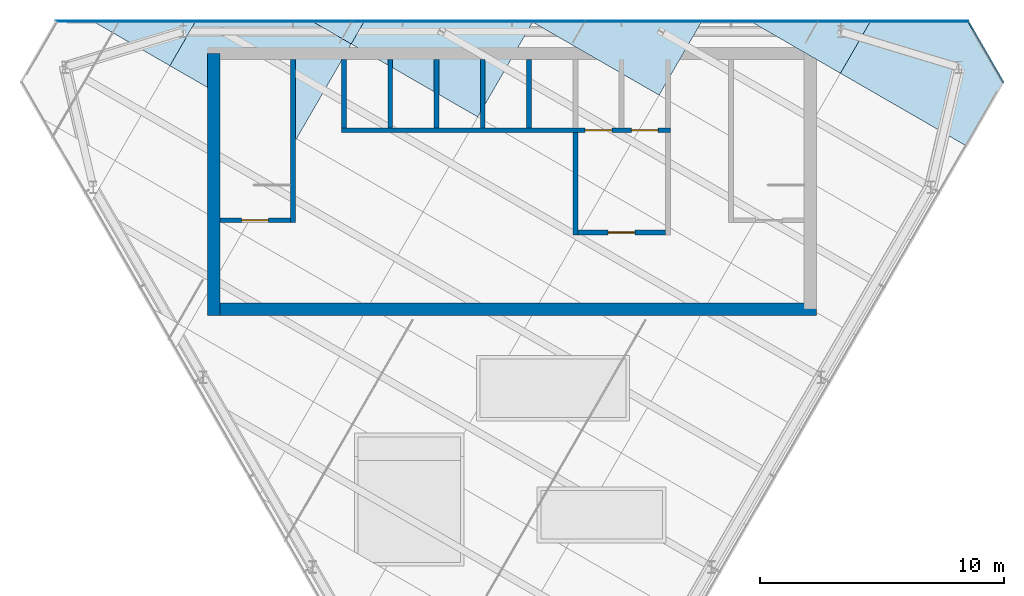
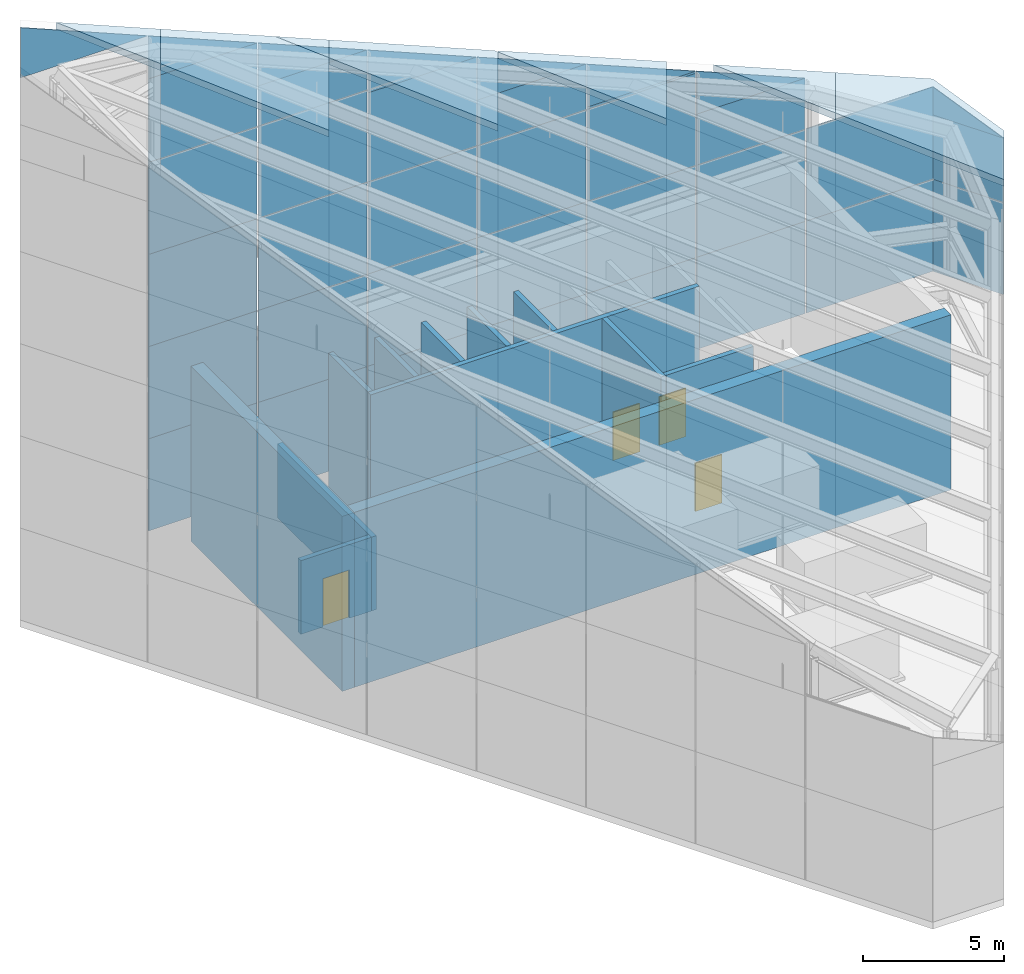
# One storey, part 13 of 16: 44 plates, 12 walls, 4 doors, 4 openings, 2 elements without a shape of their own.
"""IFC4 building model written with IfcOpenShell, lengths in metres."""

from ifc_helpers import new_model, si_unit, direction, frame, frame_2d, origin, place, context, subcontext, project, spatial, polyline, rectangle, outline, extrude, material, layer, layer_set, type_object, element, fill, aggregate, save


model = new_model("IFC4")

# Units and contexts
model_context = context("Model", 3, precision=1e-05, world=origin(), true_north=direction((0.0, 1.0)))
body_context = subcontext(model_context, "Body", "Model", "MODEL_VIEW")
ifc_project = project(units=[si_unit("LENGTHUNIT", "METRE"), si_unit("AREAUNIT", "SQUARE_METRE"), si_unit("VOLUMEUNIT", "CUBIC_METRE"), si_unit("PLANEANGLEUNIT", "RADIAN"), si_unit("MASSUNIT", "GRAM", prefix="KILO")], contexts=[model_context])

# Site, building, storey
site_placement = place(None, origin())
site = spatial("IfcSite", under=ifc_project, at=site_placement, CompositionType="ELEMENT")
building_placement = place(site_placement, origin())
building = spatial("IfcBuilding", under=site, at=building_placement, Name="Altiplano Prism Tower", CompositionType="ELEMENT")
storey_placement = place(building_placement, frame((0.0, 0.0, 358.0)))
storey = spatial("IfcBuildingStorey", under=building, at=storey_placement, Name="Crown", CompositionType="ELEMENT", Elevation=358.0)

# Curtain wall, plates
ifc_material_1 = material(Name="Aluminium and glass", Category="aluminium")
ifc_layer_1 = layer(ifc_material_1, 0.25)
ifc_layer_set_1 = layer_set([ifc_layer_1], Name="Aluminium and glass")
curtain_wall_type = type_object("IfcCurtainWallType", Name="CW5 crown glazing", PredefinedType="NOTDEFINED", material=ifc_layer_set_1)
curtain_wall_1_placement = place(storey_placement, origin())
curtain_wall_1 = element("IfcCurtainWall", 1, at=curtain_wall_1_placement, inside=storey, type_object=curtain_wall_type, Name="CW5 crown glazing face 1", PredefinedType="NOTDEFINED")
ifc_material_2 = material(Name="Clear glass", Category="glass")
ifc_layer_2 = layer(ifc_material_2, 0.0400390625)
ifc_layer_set_2 = layer_set([ifc_layer_2], Name="Clear glass")
plate_type_1 = type_object("IfcPlateType", Name="CW5 insulated glass unit 40", PredefinedType="CURTAIN_PANEL", material=ifc_layer_set_2)
plate_1_placement = place(storey_placement, frame((103.73583984375, 105.0, 4.0), z_axis=(0.0, 1.0, 0.0), x_axis=(-1.0, 0.0, 0.0)))
plate_1 = element("IfcPlate", 2, at=plate_1_placement, type_object=plate_type_1, Name="CW5 panel", PredefinedType="CURTAIN_PANEL", context=body_context, shape_type="SweptSolid", body=[
    extrude(outline(polyline([(0.0, 0.0), (5.2109375, 0.0), (5.2109375, 4.0), (0.0, 4.0), (0.0, 0.0)])), origin(), (0.0, 0.0, -1.0), 0.0400390625),
])
plate_2_placement = place(storey_placement, frame((98.47509765625, 105.0, 4.0), z_axis=(0.0, 1.0, 0.0), x_axis=(-1.0, 0.0, 0.0)))
plate_2 = element("IfcPlate", 3, at=plate_2_placement, type_object=plate_type_1, Name="CW5 panel", PredefinedType="CURTAIN_PANEL", context=body_context, shape_type="SweptSolid", body=[
    extrude(outline(polyline([(0.0, 0.0), (4.4501953125, 0.0), (4.4501953125, 4.0), (0.0, 4.0), (0.0, 0.0)])), origin(), (0.0, 0.0, -1.0), 0.0400390625),
])
plate_3_placement = place(storey_placement, frame((98.47509765625, 105.0, 8.0), z_axis=(0.0, 1.0, 0.0), x_axis=(-1.0, 0.0, 0.0)))
plate_3 = element("IfcPlate", 4, at=plate_3_placement, type_object=plate_type_1, Name="CW5 panel", PredefinedType="CURTAIN_PANEL", context=body_context, shape_type="SweptSolid", body=[
    extrude(outline(polyline([(0.0, 0.0), (4.4501953125, 0.0), (4.4501953125, 2.215087890625), (0.0, 2.215087890625), (0.0, 0.0)])), origin(), (0.0, 0.0, -1.0), 0.0400390625),
])
plate_4_placement = place(storey_placement, frame((98.47509765625, 105.0, 10.215087890625), z_axis=(0.0, 1.0, 0.0), x_axis=(-1.0, 0.0, 0.0)))
plate_4 = element("IfcPlate", 5, at=plate_4_placement, type_object=plate_type_1, Name="CW5 panel", PredefinedType="CURTAIN_PANEL", context=body_context, shape_type="SweptSolid", body=[
    extrude(outline(polyline([(0.0, 0.0), (4.4501953125, 0.0), (4.4501953125, 1.861328125), (0.0, 0.0)])), origin(), (0.0, 0.0, -1.0), 0.0400390625),
])
plate_5_placement = place(storey_placement, frame((93.97509765625, 105.0, 4.0), z_axis=(0.0, 1.0, 0.0), x_axis=(-1.0, 0.0, 0.0)))
plate_5 = element("IfcPlate", 6, at=plate_5_placement, type_object=plate_type_1, Name="CW5 panel", PredefinedType="CURTAIN_PANEL", context=body_context, shape_type="SweptSolid", body=[
    extrude(outline(polyline([(0.0, 0.0), (4.4501953125, 0.0), (4.4501953125, 4.0), (0.0, 4.0), (0.0, 0.0)])), origin(), (0.0, 0.0, -1.0), 0.0400390625),
])
plate_6_placement = place(storey_placement, frame((93.97509765625, 105.0, 8.0), z_axis=(0.0, 1.0, 0.0), x_axis=(-1.0, 0.0, 0.0)))
plate_6 = element("IfcPlate", 7, at=plate_6_placement, type_object=plate_type_1, Name="CW5 panel", PredefinedType="CURTAIN_PANEL", context=body_context, shape_type="SweptSolid", body=[
    extrude(outline(polyline([(0.0, 0.0), (4.4501953125, 0.0), (4.4501953125, 4.0), (0.0, 4.0), (0.0, 0.0)])), origin(), (0.0, 0.0, -1.0), 0.0400390625),
])
plate_7_placement = place(storey_placement, frame((93.97509765625, 105.0, 12.0), z_axis=(0.0, 1.0, 0.0), x_axis=(-1.0, 0.0, 0.0)))
plate_7 = element("IfcPlate", 8, at=plate_7_placement, type_object=plate_type_1, Name="CW5 panel", PredefinedType="CURTAIN_PANEL", context=body_context, shape_type="SweptSolid", body=[
    extrude(outline(polyline([(0.0, 0.0), (4.4501953125, 0.0), (4.4501953125, 0.097412109375), (0.0, 0.097412109375), (0.0, 0.0)])), origin(), (0.0, 0.0, -1.0), 0.0400390625),
])
plate_8_placement = place(storey_placement, frame((93.97509765625, 105.0, 12.097412109375), z_axis=(0.0, 1.0, 0.0), x_axis=(-1.0, 0.0, 0.0)))
plate_8 = element("IfcPlate", 9, at=plate_8_placement, type_object=plate_type_1, Name="CW5 panel", PredefinedType="CURTAIN_PANEL", context=body_context, shape_type="SweptSolid", body=[
    extrude(outline(polyline([(0.0, 0.0), (4.4501953125, 0.0), (4.4501953125, 1.861083984375), (0.0, 0.0)])), origin(), (0.0, 0.0, -1.0), 0.0400390625),
])
plate_9_placement = place(storey_placement, frame((89.47509765625, 105.0, 4.0), z_axis=(0.0, 1.0, 0.0), x_axis=(-1.0, 0.0, 0.0)))
plate_9 = element("IfcPlate", 10, at=plate_9_placement, type_object=plate_type_1, Name="CW5 panel", PredefinedType="CURTAIN_PANEL", context=body_context, shape_type="SweptSolid", body=[
    extrude(outline(polyline([(0.0, 0.0), (4.4501953125, 0.0), (4.4501953125, 4.0), (0.0, 4.0), (0.0, 0.0)])), origin(), (0.0, 0.0, -1.0), 0.0400390625),
])
plate_10_placement = place(storey_placement, frame((89.47509765625, 105.0, 8.0), z_axis=(0.0, 1.0, 0.0), x_axis=(-1.0, 0.0, 0.0)))
plate_10 = element("IfcPlate", 11, at=plate_10_placement, type_object=plate_type_1, Name="CW5 panel", PredefinedType="CURTAIN_PANEL", context=body_context, shape_type="SweptSolid", body=[
    extrude(outline(polyline([(0.0, 0.0), (4.4501953125, 0.0), (4.4501953125, 4.0), (0.0, 4.0), (0.0, 0.0)])), origin(), (0.0, 0.0, -1.0), 0.0400390625),
])
plate_11_placement = place(storey_placement, frame((89.47509765625, 105.0, 12.0), z_axis=(0.0, 1.0, 0.0), x_axis=(-1.0, 0.0, 0.0)))
plate_11 = element("IfcPlate", 12, at=plate_11_placement, type_object=plate_type_1, Name="CW5 panel", PredefinedType="CURTAIN_PANEL", context=body_context, shape_type="SweptSolid", body=[
    extrude(outline(polyline([(0.0, 0.0), (4.4501953125, 0.0), (4.4501953125, 1.9794921875), (0.0, 1.9794921875), (0.0, 0.0)])), origin(), (0.0, 0.0, -1.0), 0.0400390625),
])
plate_12_placement = place(storey_placement, frame((89.47509765625, 105.0, 13.9794921875), z_axis=(0.0, 1.0, 0.0), x_axis=(-1.0, 0.0, 0.0)))
plate_12 = element("IfcPlate", 13, at=plate_12_placement, type_object=plate_type_1, Name="CW5 panel", PredefinedType="CURTAIN_PANEL", context=body_context, shape_type="SweptSolid", body=[
    extrude(outline(polyline([(0.0, 0.0), (4.4501953125, 0.0), (4.4501953125, 1.861328125), (0.0, 0.0)])), origin(), (0.0, 0.0, -1.0), 0.0400390625),
])
plate_13_placement = place(storey_placement, frame((84.97509765625, 105.0, 4.0), z_axis=(0.0, 1.0, 0.0), x_axis=(-1.0, 0.0, 0.0)))
plate_13 = element("IfcPlate", 14, at=plate_13_placement, type_object=plate_type_1, Name="CW5 panel", PredefinedType="CURTAIN_PANEL", context=body_context, shape_type="SweptSolid", body=[
    extrude(outline(polyline([(0.0, 0.0), (4.4501953125, 0.0), (4.4501953125, 4.0), (0.0, 4.0), (0.0, 0.0)])), origin(), (0.0, 0.0, -1.0), 0.0400390625),
])
plate_14_placement = place(storey_placement, frame((84.97509765625, 105.0, 8.0), z_axis=(0.0, 1.0, 0.0), x_axis=(-1.0, 0.0, 0.0)))
plate_14 = element("IfcPlate", 15, at=plate_14_placement, type_object=plate_type_1, Name="CW5 panel", PredefinedType="CURTAIN_PANEL", context=body_context, shape_type="SweptSolid", body=[
    extrude(outline(polyline([(0.0, 0.0), (4.4501953125, 0.0), (4.4501953125, 4.0), (0.0, 4.0), (0.0, 0.0)])), origin(), (0.0, 0.0, -1.0), 0.0400390625),
])
plate_15_placement = place(storey_placement, frame((84.97509765625, 105.0, 12.0), z_axis=(0.0, 1.0, 0.0), x_axis=(-1.0, 0.0, 0.0)))
plate_15 = element("IfcPlate", 16, at=plate_15_placement, type_object=plate_type_1, Name="CW5 panel", PredefinedType="CURTAIN_PANEL", context=body_context, shape_type="SweptSolid", body=[
    extrude(outline(polyline([(0.0, 0.0), (4.4501953125, 0.0), (4.4501953125, 3.86181640625), (0.0, 3.86181640625), (0.0, 0.0)])), origin(), (0.0, 0.0, -1.0), 0.0400390625),
])
plate_16_placement = place(storey_placement, frame((84.97509765625, 105.0, 15.86181640625), z_axis=(0.0, 1.0, 0.0), x_axis=(-1.0, 0.0, 0.0)))
plate_16 = element("IfcPlate", 17, at=plate_16_placement, type_object=plate_type_1, Name="CW5 panel", PredefinedType="CURTAIN_PANEL", context=body_context, shape_type="SweptSolid", body=[
    extrude(outline(polyline([(0.0, 0.0), (4.4501953125, 0.0), (4.4501953125, 1.861328125), (0.0, 0.0)])), origin(), (0.0, 0.0, -1.0), 0.0400390625),
])
plate_17_placement = place(storey_placement, frame((80.47509765625, 105.0, 4.0), z_axis=(0.0, 1.0, 0.0), x_axis=(-1.0, 0.0, 0.0)))
plate_17 = element("IfcPlate", 18, at=plate_17_placement, type_object=plate_type_1, Name="CW5 panel", PredefinedType="CURTAIN_PANEL", context=body_context, shape_type="SweptSolid", body=[
    extrude(outline(polyline([(0.0, 0.0), (4.4501953125, 0.0), (4.4501953125, 4.0), (0.0, 4.0), (0.0, 0.0)])), origin(), (0.0, 0.0, -1.0), 0.0400390625),
])
plate_18_placement = place(storey_placement, frame((80.47509765625, 105.0, 8.0), z_axis=(0.0, 1.0, 0.0), x_axis=(-1.0, 0.0, 0.0)))
plate_18 = element("IfcPlate", 19, at=plate_18_placement, type_object=plate_type_1, Name="CW5 panel", PredefinedType="CURTAIN_PANEL", context=body_context, shape_type="SweptSolid", body=[
    extrude(outline(polyline([(0.0, 0.0), (4.4501953125, 0.0), (4.4501953125, 4.0), (0.0, 4.0), (0.0, 0.0)])), origin(), (0.0, 0.0, -1.0), 0.0400390625),
])
plate_19_placement = place(storey_placement, frame((80.47509765625, 105.0, 12.0), z_axis=(0.0, 1.0, 0.0), x_axis=(-1.0, 0.0, 0.0)))
plate_19 = element("IfcPlate", 20, at=plate_19_placement, type_object=plate_type_1, Name="CW5 panel", PredefinedType="CURTAIN_PANEL", context=body_context, shape_type="SweptSolid", body=[
    extrude(outline(polyline([(0.0, 0.0), (4.4501953125, 0.0), (4.4501953125, 4.0), (0.0, 4.0), (0.0, 0.0)])), origin(), (0.0, 0.0, -1.0), 0.0400390625),
])
plate_20_placement = place(storey_placement, frame((80.47509765625, 105.0, 16.0), z_axis=(0.0, 1.0, 0.0), x_axis=(-1.0, 0.0, 0.0)))
plate_20 = element("IfcPlate", 21, at=plate_20_placement, type_object=plate_type_1, Name="CW5 panel", PredefinedType="CURTAIN_PANEL", context=body_context, shape_type="SweptSolid", body=[
    extrude(outline(polyline([(0.0, 0.0), (4.4501953125, 0.0), (4.4501953125, 1.743896484375), (0.0, 1.743896484375), (0.0, 0.0)])), origin(), (0.0, 0.0, -1.0), 0.0400390625),
])
plate_21_placement = place(storey_placement, frame((80.47509765625, 105.0, 17.743896484375), z_axis=(0.0, 1.0, 0.0), x_axis=(-1.0, 0.0, 0.0)))
plate_21 = element("IfcPlate", 22, at=plate_21_placement, type_object=plate_type_1, Name="CW5 panel", PredefinedType="CURTAIN_PANEL", context=body_context, shape_type="SweptSolid", body=[
    extrude(outline(polyline([(0.0, 0.0), (4.4501953125, 0.0), (4.4501953125, 1.861328125), (0.0, 0.0)])), origin(), (0.0, 0.0, -1.0), 0.0400390625),
])
plate_22_placement = place(storey_placement, frame((75.97509765625, 105.0, 4.0), z_axis=(0.0, 1.0, 0.0), x_axis=(-1.0, 0.0, 0.0)))
plate_22 = element("IfcPlate", 23, at=plate_22_placement, type_object=plate_type_1, Name="CW5 panel", PredefinedType="CURTAIN_PANEL", context=body_context, shape_type="SweptSolid", body=[
    extrude(outline(polyline([(0.0, 0.0), (4.4501953125, 0.0), (4.4501953125, 4.0), (0.0, 4.0), (0.0, 0.0)])), origin(), (0.0, 0.0, -1.0), 0.0400390625),
])
plate_23_placement = place(storey_placement, frame((75.97509765625, 105.0, 8.0), z_axis=(0.0, 1.0, 0.0), x_axis=(-1.0, 0.0, 0.0)))
plate_23 = element("IfcPlate", 24, at=plate_23_placement, type_object=plate_type_1, Name="CW5 panel", PredefinedType="CURTAIN_PANEL", context=body_context, shape_type="SweptSolid", body=[
    extrude(outline(polyline([(0.0, 0.0), (4.4501953125, 0.0), (4.4501953125, 4.0), (0.0, 4.0), (0.0, 0.0)])), origin(), (0.0, 0.0, -1.0), 0.0400390625),
])
plate_24_placement = place(storey_placement, frame((75.97509765625, 105.0, 12.0), z_axis=(0.0, 1.0, 0.0), x_axis=(-1.0, 0.0, 0.0)))
plate_24 = element("IfcPlate", 25, at=plate_24_placement, type_object=plate_type_1, Name="CW5 panel", PredefinedType="CURTAIN_PANEL", context=body_context, shape_type="SweptSolid", body=[
    extrude(outline(polyline([(0.0, 0.0), (4.4501953125, 0.0), (4.4501953125, 4.0), (0.0, 4.0), (0.0, 0.0)])), origin(), (0.0, 0.0, -1.0), 0.0400390625),
])
plate_25_placement = place(storey_placement, frame((75.97509765625, 105.0, 16.0), z_axis=(0.0, 1.0, 0.0), x_axis=(-1.0, 0.0, 0.0)))
plate_25 = element("IfcPlate", 26, at=plate_25_placement, type_object=plate_type_1, Name="CW5 panel", PredefinedType="CURTAIN_PANEL", context=body_context, shape_type="SweptSolid", body=[
    extrude(outline(polyline([(0.0, 0.0), (4.4501953125, 0.0), (4.4501953125, 3.626220703125), (0.0, 3.626220703125), (0.0, 0.0)])), origin(), (0.0, 0.0, -1.0), 0.0400390625),
])
plate_26_placement = place(storey_placement, frame((75.97509765625, 105.0, 19.626220703125), z_axis=(0.0, 1.0, 0.0), x_axis=(-1.0, 0.0, 0.0)))
plate_26 = element("IfcPlate", 27, at=plate_26_placement, type_object=plate_type_1, Name="CW5 panel", PredefinedType="CURTAIN_PANEL", context=body_context, shape_type="SweptSolid", body=[
    extrude(outline(polyline([(0.0, 0.0), (4.4501953125, 0.0), (4.4501953125, 1.861328125), (0.0, 0.0)])), origin(), (0.0, 0.0, -1.0), 0.0400390625),
])
plate_27_placement = place(storey_placement, frame((71.47509765625, 105.0, 21.50830078125), z_axis=(0.0, 1.0, 0.0), x_axis=(-1.0, 0.0, 0.0)))
plate_27 = element("IfcPlate", 28, at=plate_27_placement, type_object=plate_type_1, Name="CW5 panel", PredefinedType="CURTAIN_PANEL", context=body_context, shape_type="SweptSolid", body=[
    extrude(outline(polyline([(0.0, 0.0), (5.2109375, 0.0), (5.2109375, 2.1796875), (0.0, 0.0)])), origin(), (0.0, 0.0, -1.0), 0.0400390625),
])

curtain_wall_2_placement = place(storey_placement, origin())
curtain_wall_2 = element("IfcCurtainWall", 29, at=curtain_wall_2_placement, inside=storey, type_object=curtain_wall_type, Name="CW5 crown glazing chamfer 3", PredefinedType="NOTDEFINED")
plate_28_placement = place(storey_placement, frame((105.19970703125, 102.472900390625, 4.0), z_axis=(0.866052996912, 0.499952204256, 0.0), x_axis=(-0.499952204256, 0.866052996912, 0.0)))
plate_28 = element("IfcPlate", 30, at=plate_28_placement, type_object=plate_type_1, Name="CW5 panel", PredefinedType="CURTAIN_PANEL", context=body_context, shape_type="SweptSolid", body=[
    extrude(outline(polyline([(0.0, 0.0), (2.912841796875, 0.0), (2.912841796875, 2.7919921875), (0.0, 2.7919921875), (0.0, 0.0)])), origin(), (0.0, 0.0, -1.0), 0.0400390625),
])
plate_29_placement = place(storey_placement, frame((105.19970703125, 102.472900390625, 6.7919921875), z_axis=(0.866052996912, 0.499952204256, 0.0), x_axis=(-0.499952204256, 0.866052996912, 0.0)))
plate_29 = element("IfcPlate", 31, at=plate_29_placement, type_object=plate_type_1, Name="CW5 panel", PredefinedType="CURTAIN_PANEL", context=body_context, shape_type="SweptSolid", body=[
    extrude(outline(polyline([(0.0, 0.0), (2.912841796875, 0.0), (2.912841796875, 1.218505859375), (0.0, 0.0)])), origin(), (0.0, 0.0, -1.0), 0.0400390625),
])

# Plate
ifc_material_3 = material(Name="Anodised aluminium", Category="aluminium")
ifc_layer_3 = layer(ifc_material_3, 0.0400390625)
ifc_layer_set_3 = layer_set([ifc_layer_3], Name="Anodised aluminium")
plate_type_2 = type_object("IfcPlateType", Name="CW5 insulated metal spandrel panel 40", PredefinedType="CURTAIN_PANEL", material=ifc_layer_set_3)
plate_30_placement = place(storey_placement, frame((103.73583984375, 105.0, 0.0), z_axis=(0.0, 1.0, 0.0), x_axis=(-1.0, 0.0, 0.0)))
plate_30 = element("IfcPlate", 32, at=plate_30_placement, type_object=plate_type_2, Name="CW5 spandrel panel", PredefinedType="CURTAIN_PANEL", context=body_context, shape_type="SweptSolid", body=[
    extrude(outline(polyline([(0.0, 0.0), (5.2109375, 0.0), (5.2109375, 4.0), (0.0, 4.0), (0.0, 0.0)])), origin(), (0.0, 0.0, -1.0), 0.0400390625),
])

plate_31_placement = place(storey_placement, frame((98.47509765625, 105.0, 0.0), z_axis=(0.0, 1.0, 0.0), x_axis=(-1.0, 0.0, 0.0)))
plate_31 = element("IfcPlate", 33, at=plate_31_placement, type_object=plate_type_2, Name="CW5 spandrel panel", PredefinedType="CURTAIN_PANEL", context=body_context, shape_type="SweptSolid", body=[
    extrude(outline(polyline([(0.0, 0.0), (4.4501953125, 0.0), (4.4501953125, 4.0), (0.0, 4.0), (0.0, 0.0)])), origin(), (0.0, 0.0, -1.0), 0.0400390625),
])

plate_32_placement = place(storey_placement, frame((93.97509765625, 105.0, 0.0), z_axis=(0.0, 1.0, 0.0), x_axis=(-1.0, 0.0, 0.0)))
plate_32 = element("IfcPlate", 34, at=plate_32_placement, type_object=plate_type_2, Name="CW5 spandrel panel", PredefinedType="CURTAIN_PANEL", context=body_context, shape_type="SweptSolid", body=[
    extrude(outline(polyline([(0.0, 0.0), (4.4501953125, 0.0), (4.4501953125, 4.0), (0.0, 4.0), (0.0, 0.0)])), origin(), (0.0, 0.0, -1.0), 0.0400390625),
])

plate_33_placement = place(storey_placement, frame((89.47509765625, 105.0, 0.0), z_axis=(0.0, 1.0, 0.0), x_axis=(-1.0, 0.0, 0.0)))
plate_33 = element("IfcPlate", 35, at=plate_33_placement, type_object=plate_type_2, Name="CW5 spandrel panel", PredefinedType="CURTAIN_PANEL", context=body_context, shape_type="SweptSolid", body=[
    extrude(outline(polyline([(0.0, 0.0), (4.4501953125, 0.0), (4.4501953125, 4.0), (0.0, 4.0), (0.0, 0.0)])), origin(), (0.0, 0.0, -1.0), 0.0400390625),
])

plate_34_placement = place(storey_placement, frame((84.97509765625, 105.0, 0.0), z_axis=(0.0, 1.0, 0.0), x_axis=(-1.0, 0.0, 0.0)))
plate_34 = element("IfcPlate", 36, at=plate_34_placement, type_object=plate_type_2, Name="CW5 spandrel panel", PredefinedType="CURTAIN_PANEL", context=body_context, shape_type="SweptSolid", body=[
    extrude(outline(polyline([(0.0, 0.0), (4.4501953125, 0.0), (4.4501953125, 4.0), (0.0, 4.0), (0.0, 0.0)])), origin(), (0.0, 0.0, -1.0), 0.0400390625),
])

plate_35_placement = place(storey_placement, frame((80.47509765625, 105.0, 0.0), z_axis=(0.0, 1.0, 0.0), x_axis=(-1.0, 0.0, 0.0)))
plate_35 = element("IfcPlate", 37, at=plate_35_placement, type_object=plate_type_2, Name="CW5 spandrel panel", PredefinedType="CURTAIN_PANEL", context=body_context, shape_type="SweptSolid", body=[
    extrude(outline(polyline([(0.0, 0.0), (4.4501953125, 0.0), (4.4501953125, 4.0), (0.0, 4.0), (0.0, 0.0)])), origin(), (0.0, 0.0, -1.0), 0.0400390625),
])

plate_36_placement = place(storey_placement, frame((75.97509765625, 105.0, 0.0), z_axis=(0.0, 1.0, 0.0), x_axis=(-1.0, 0.0, 0.0)))
plate_36 = element("IfcPlate", 38, at=plate_36_placement, type_object=plate_type_2, Name="CW5 spandrel panel", PredefinedType="CURTAIN_PANEL", context=body_context, shape_type="SweptSolid", body=[
    extrude(outline(polyline([(0.0, 0.0), (4.4501953125, 0.0), (4.4501953125, 4.0), (0.0, 4.0), (0.0, 0.0)])), origin(), (0.0, 0.0, -1.0), 0.0400390625),
])

aggregate(curtain_wall_1, [plate_30, plate_1, plate_31, plate_2, plate_3, plate_4, plate_32, plate_5, plate_6, plate_7, plate_8, plate_33, plate_9, plate_10, plate_11, plate_12, plate_34, plate_13, plate_14, plate_15, plate_16, plate_35, plate_17, plate_18, plate_19, plate_20, plate_21, plate_36, plate_22, plate_23, plate_24, plate_25, plate_26, plate_27])

plate_37_placement = place(storey_placement, frame((105.19970703125, 102.472900390625, 0.0), z_axis=(0.866052996912, 0.499952204256, 0.0), x_axis=(-0.499952204256, 0.866052996912, 0.0)))
plate_37 = element("IfcPlate", 39, at=plate_37_placement, type_object=plate_type_2, Name="CW5 spandrel panel", PredefinedType="CURTAIN_PANEL", context=body_context, shape_type="SweptSolid", body=[
    extrude(outline(polyline([(0.0, 0.0), (2.912841796875, 0.0), (2.912841796875, 4.0), (0.0, 4.0), (0.0, 0.0)])), origin(), (0.0, 0.0, -1.0), 0.0400390625),
])

aggregate(curtain_wall_2, [plate_37, plate_28, plate_29])

# Plates
ifc_material_4 = material(Name="Laminated glass roof panel", Category="glass")
ifc_layer_4 = layer(ifc_material_4, 0.300048828125)
ifc_layer_set_4 = layer_set([ifc_layer_4], Name="Laminated glass roof panel")
plate_type_3 = type_object("IfcPlateType", Name="Crown roof glazing panel 300", PredefinedType="SHEET", material=ifc_layer_set_4)
plate_38_placement = place(storey_placement, frame((99.735595703125, 105.0, 9.997802734375), z_axis=(0.376621170114, -0.217428932559, 0.900489396666), x_axis=(-0.500010727379, -0.866019210035, 1.8870629e-05)))
element("IfcPlate", 40, at=plate_38_placement, inside=storey, type_object=plate_type_3, Name="Crown roof glazing panel 1.1", PredefinedType="SHEET", context=body_context, shape_type="SweptSolid", body=[
    extrude(outline(polyline([(0.0, 0.0), (2.49755859375, 0.0), (2.497314453125, 6.6630859375), (-0.541259765625, 6.6630859375), (-2.002685546875, 3.851806640625), (0.0, 0.0)])), origin(), (-1.8870629e-05, 0.434877966947, -0.900489396666), 0.300048828125),
])
plate_39_placement = place(storey_placement, frame((94.74072265625, 105.0, 12.0869140625), z_axis=(0.376626926837, -0.21745645454, 0.900480343128), x_axis=(0.779835827433, -0.450245411577, -0.434896713722)))
element("IfcPlate", 41, at=plate_39_placement, inside=storey, type_object=plate_type_3, Name="Crown roof glazing panel 2.1", PredefinedType="SHEET", context=body_context, shape_type="SweptSolid", body=[
    extrude(outline(polyline([(0.0, 0.0), (4.8037109375, 0.0), (4.8037109375, 2.49755859375), (0.0, 0.0)])), origin(), (0.434896713722, -5.788472e-06, -0.900480343128), 0.300048828125),
])
plate_40_placement = place(storey_placement, frame((85.87939453125, 105.0, 15.79345703125), z_axis=(0.376610759534, -0.217479452689, 0.900481550872), x_axis=(-0.502089380025, -0.864815003062, 0.001124697359)))
element("IfcPlate", 42, at=plate_40_placement, inside=storey, type_object=plate_type_3, Name="Crown roof glazing panel 3.2", PredefinedType="SHEET", context=body_context, shape_type="SweptSolid", body=[
    extrude(outline(polyline([(0.0, 0.0), (0.069580078125, 0.0), (0.0517578125, 6.6630859375), (-3.48193359375, 6.65380859375), (0.0, 0.0)])), origin(), (-0.001124697359, 0.434892758728, -0.900481550872), 0.300048828125),
])
plate_41_placement = place(storey_placement, frame((78.951171875, 105.0, 18.69140625), z_axis=(0.376649511078, -0.217516135061, 0.900456482454), x_axis=(-0.500124447046, -0.86595354221, 1.4171494e-05)))
element("IfcPlate", 43, at=plate_41_placement, inside=storey, type_object=plate_type_3, Name="Crown roof glazing panel 4.3", PredefinedType="SHEET", context=body_context, shape_type="SweptSolid", body=[
    extrude(outline(polyline([(0.0, 0.0), (1.105224609375, 0.0), (1.104248046875, 6.6630859375), (-3.3955078125, 6.66259765625), (-3.395751953125, 6.529296875), (0.0, 0.0)])), origin(), (-1.4171494e-05, 0.434946115061, -0.900456482454), 0.300048828125),
])
plate_42_placement = place(storey_placement, frame((76.74072265625, 105.0, 19.615966796875), z_axis=(0.376634053912, -0.217525382157, 0.900460714052), x_axis=(0.77983221596, -0.450212413338, -0.434937349314)))
element("IfcPlate", 44, at=plate_42_placement, inside=storey, type_object=plate_type_3, Name="Crown roof glazing panel 5.3", PredefinedType="SHEET", context=body_context, shape_type="SweptSolid", body=[
    extrude(outline(polyline([(0.0, 0.0), (2.125732421875, 0.0), (2.1259765625, 1.105224609375), (0.0, 0.0)])), origin(), (0.434937349314, -6.7974438e-05, -0.900460714052), 0.300048828125),
])
plate_43_placement = place(storey_placement, frame((72.02294921875, 105.0, 21.589111328125), z_axis=(0.376629808199, -0.217458617816, 0.900478615578), x_axis=(-0.500005397852, -0.866022287275, -7.854154e-06)))
element("IfcPlate", 45, at=plate_43_placement, inside=storey, type_object=plate_type_3, Name="Crown roof glazing panel 5.4", PredefinedType="SHEET", context=body_context, shape_type="SweptSolid", body=[
    extrude(outline(polyline([(0.0, 0.0), (2.14111328125, 0.0), (2.14111328125, 6.6630859375), (-2.35888671875, 6.662841796875), (-2.35888671875, 4.537109375), (0.0, 0.0)])), origin(), (7.854154e-06, 0.43490029067, -0.900478615578), 0.300048828125),
])
plate_44_placement = place(storey_placement, frame((67.74072265625, 105.0, 23.38037109375), z_axis=(0.376664137682, -0.217468366522, 0.900461901996), x_axis=(0.779823980669, -0.450229048512, -0.434934895186)))
element("IfcPlate", 46, at=plate_44_placement, inside=storey, type_object=plate_type_3, Name="Crown roof glazing panel 6.4", PredefinedType="SHEET", context=body_context, shape_type="SweptSolid", body=[
    extrude(outline(polyline([(0.0, 0.0), (4.118408203125, 0.0), (4.118408203125, 2.14111328125), (0.0, 0.0)])), origin(), (0.434934895186, -1.910934e-06, -0.900461901996), 0.300048828125),
])

# Walls
ifc_material_5 = material(Name="Concrete C60/75", Category="concrete")
ifc_layer_5 = layer(ifc_material_5, 0.5)
ifc_layer_set_5 = layer_set([ifc_layer_5], Name="Concrete C60/75")
wall_type_1 = type_object("IfcWallType", Name="Core wall 500", PredefinedType="SHEAR", material=ifc_layer_set_5)
wall_1_placement = place(storey_placement, frame((72.75, 93.14990234375, 0.0), z_axis=(0.0, 0.0, 1.0), x_axis=(1.0, 0.0, 0.0)))
element("IfcWall", 47, at=wall_1_placement, inside=storey, type_object=wall_type_1, Name="Core wall S Crown", PredefinedType="SHEAR", context=body_context, shape_type="SweptSolid", body=[
    extrude(rectangle(XDim=24.75, YDim=0.5, at=frame_2d((12.375, 0.0))), origin(), (0.0, 0.0, 1.0), 7.60009765625),
])
wall_2_placement = place(storey_placement, frame((72.75, 103.64990234375, 0.0), z_axis=(0.0, 0.0, 1.0), x_axis=(0.0, -1.0, 0.0)))
element("IfcWall", 48, at=wall_2_placement, inside=storey, type_object=wall_type_1, Name="Core wall W Crown", PredefinedType="SHEAR", context=body_context, shape_type="SweptSolid", body=[
    extrude(rectangle(XDim=10.75, YDim=0.5, at=frame_2d((5.375, 0.0))), origin(), (0.0, 0.0, 1.0), 7.60009765625),
])

# Wall, openings, doors
ifc_layer_6 = layer(ifc_material_5, 0.199951171875)
ifc_layer_set_6 = layer_set([ifc_layer_6], Name="Concrete C60/75")
wall_type_2 = type_object("IfcWallType", Name="Shaft wall 200", PredefinedType="SOLIDWALL", material=ifc_layer_set_6)
wall_3_placement = place(storey_placement, frame((78.0, 100.5, 0.0), z_axis=(0.0, 0.0, 1.0), x_axis=(1.0, 0.0, 0.0)))
wall_3 = element("IfcWall", 49, at=wall_3_placement, inside=storey, type_object=wall_type_2, Name="Shaft wall Crown", PredefinedType="SOLIDWALL", context=body_context, shape_type="SweptSolid", body=[
    extrude(rectangle(XDim=13.5, YDim=0.199951171875, at=frame_2d((6.75, 0.0))), origin(), (0.0, 0.0, 1.0), 6.39990234375),
])
opening_1_placement = place(wall_3_placement, frame((10.0, 0.0, 0.0)))
opening_1 = element("IfcOpeningElement", 50, at=opening_1_placement, cuts=wall_3, Name="Opening LD-FF1-Crown", PredefinedType="OPENING", context=body_context, shape_type="SweptSolid", body=[
    extrude(rectangle(XDim=1.10009765625, YDim=2.10009765625, at=frame_2d((0.550048828125, 1.050048828125))), frame((0.0, 0.1103515625, 0.0), z_axis=(0.0, -1.0, 0.0), x_axis=(1.0, 0.0, 0.0)), (0.0, 0.0, 1.0), 0.220947265625),
])
opening_2_placement = place(wall_3_placement, frame((11.89990234375, 0.0, 0.0)))
opening_2 = element("IfcOpeningElement", 51, at=opening_2_placement, cuts=wall_3, Name="Opening LD-FF2-Crown", PredefinedType="OPENING", context=body_context, shape_type="SweptSolid", body=[
    extrude(rectangle(XDim=1.10009765625, YDim=2.10009765625, at=frame_2d((0.550048828125, 1.050048828125))), frame((0.0, 0.1103515625, 0.0), z_axis=(0.0, -1.0, 0.0), x_axis=(1.0, 0.0, 0.0)), (0.0, 0.0, 1.0), 0.220947265625),
])
ifc_material_6 = material(Name="Stainless steel landing door", Category="steel")
door_type_1 = type_object("IfcDoorType", Name="Landing door 1100 x 2100", OperationType="NOTDEFINED", PredefinedType="NOTDEFINED", material=ifc_material_6)
door_1_placement = place(opening_1_placement, origin())
door_1 = element("IfcDoor", 52, at=door_1_placement, inside=storey, type_object=door_type_1, Name="Landing doors FF1", OperationType="SLIDING_TO_RIGHT", OverallHeight=2.10009765625, OverallWidth=1.10009765625, PredefinedType="NOTDEFINED", context=body_context, shape_type="SweptSolid", body=[
    extrude(rectangle(XDim=1.10009765625, YDim=2.10009765625, at=frame_2d((0.550048828125, 1.050048828125))), frame((0.0, 0.02490234375, 0.0), z_axis=(0.0, -1.0, 0.0), x_axis=(1.0, 0.0, 0.0)), (0.0, 0.0, 1.0), 0.050048828125),
])
fill(opening_1, door_1)
door_2_placement = place(opening_2_placement, origin())
door_2 = element("IfcDoor", 53, at=door_2_placement, inside=storey, type_object=door_type_1, Name="Landing doors FF2", OperationType="SLIDING_TO_LEFT", OverallHeight=2.10009765625, OverallWidth=1.10009765625, PredefinedType="NOTDEFINED", context=body_context, shape_type="SweptSolid", body=[
    extrude(rectangle(XDim=1.10009765625, YDim=2.10009765625, at=frame_2d((0.550048828125, 1.050048828125))), frame((0.0, 0.02490234375, 0.0), z_axis=(0.0, -1.0, 0.0), x_axis=(1.0, 0.0, 0.0)), (0.0, 0.0, 1.0), 0.050048828125),
])
fill(opening_2, door_2)

# Walls
for number, where, z_axis, x_axis, name in (
    (54, (78.10009765625, 100.60009765625, 0.0), (0.0, 0.0, 1.0), (0.0, 1.0, 0.0), "Shaft wall Crown"),
    (55, (80.0, 100.60009765625, 0.0), (0.0, 0.0, 1.0), (0.0, 1.0, 0.0), "Shaft wall Crown"),
    (56, (81.89990234375, 100.60009765625, 0.0), (0.0, 0.0, 1.0), (0.0, 1.0, 0.0), "Shaft wall Crown"),
    (57, (83.800048828125, 100.60009765625, 0.0), (0.0, 0.0, 1.0), (0.0, 1.0, 0.0), "Shaft wall Crown"),
    (58, (85.699951171875, 100.60009765625, 0.0), (0.0, 0.0, 1.0), (0.0, 1.0, 0.0), "Shaft wall Crown"),
):
    element("IfcWall", number, at=place(storey_placement, frame(where, z_axis=z_axis, x_axis=x_axis)), inside=storey, type_object=wall_type_2, Name=name, PredefinedType="SOLIDWALL", context=body_context, shape_type="SweptSolid", body=[
        extrude(rectangle(XDim=2.7998046875, YDim=0.199951171875, at=frame_2d((1.39990234375, 0.0))), origin(), (0.0, 0.0, 1.0), 6.39990234375),
    ])

# Wall, opening, door
ifc_layer_7 = layer(ifc_material_5, 0.199951171875)
ifc_layer_set_7 = layer_set([ifc_layer_7], Name="Concrete C60/75")
wall_type_3 = type_object("IfcWallType", Name="Stair wall 200", PredefinedType="SOLIDWALL", material=ifc_layer_set_7)
wall_4_placement = place(storey_placement, frame((73.0, 96.800048828125, 0.0), z_axis=(0.0, 0.0, 1.0), x_axis=(1.0, 0.0, 0.0)))
wall_4 = element("IfcWall", 59, at=wall_4_placement, inside=storey, type_object=wall_type_3, Name="Stair wall Crown", PredefinedType="SOLIDWALL", context=body_context, shape_type="SweptSolid", body=[
    extrude(rectangle(XDim=2.89990234375, YDim=0.199951171875, at=frame_2d((1.449951171875, 0.0))), origin(), (0.0, 0.0, 1.0), 3.199951171875),
])
opening_3_placement = place(wall_4_placement, frame((0.89990234375, 0.0, 0.0)))
opening_3 = element("IfcOpeningElement", 60, at=opening_3_placement, cuts=wall_4, Name="Opening D3910", PredefinedType="OPENING", context=body_context, shape_type="SweptSolid", body=[
    extrude(rectangle(XDim=1.10009765625, YDim=2.10009765625, at=frame_2d((0.550048828125, 1.050048828125))), frame((0.0, 0.1103515625, 0.0), z_axis=(0.0, -1.0, 0.0), x_axis=(1.0, 0.0, 0.0)), (0.0, 0.0, 1.0), 0.220947265625),
])
ifc_material_7 = material(Name="Fire-rated steel door", Category="steel")
door_type_2 = type_object("IfcDoorType", Name="Stair fire door 1100 x 2100", OperationType="NOTDEFINED", PredefinedType="NOTDEFINED", material=ifc_material_7)
door_3_placement = place(opening_3_placement, origin())
door_3 = element("IfcDoor", 61, at=door_3_placement, inside=storey, type_object=door_type_2, Name="Stair fire door D3910", OperationType="SINGLE_SWING_RIGHT", OverallHeight=2.10009765625, OverallWidth=1.10009765625, PredefinedType="NOTDEFINED", context=body_context, shape_type="SweptSolid", body=[
    extrude(rectangle(XDim=1.10009765625, YDim=2.10009765625, at=frame_2d((0.550048828125, 1.050048828125))), frame((0.0, 0.02490234375, 0.0), z_axis=(0.0, -1.0, 0.0), x_axis=(1.0, 0.0, 0.0)), (0.0, 0.0, 1.0), 0.050048828125),
])
fill(opening_3, door_3)

# Walls
wall_5_placement = place(storey_placement, frame((76.0, 96.699951171875, 0.0), z_axis=(0.0, 0.0, 1.0), x_axis=(0.0, 1.0, 0.0)))
element("IfcWall", 62, at=wall_5_placement, inside=storey, type_object=wall_type_3, Name="Stair wall Crown", PredefinedType="SOLIDWALL", context=body_context, shape_type="SweptSolid", body=[
    extrude(rectangle(XDim=6.699951171875, YDim=0.199951171875, at=frame_2d((3.35009765625, 0.0))), origin(), (0.0, 0.0, 1.0), 3.199951171875),
])
ifc_layer_8 = layer(ifc_material_5, 0.199951171875)
ifc_layer_set_8 = layer_set([ifc_layer_8], Name="Concrete C60/75")
wall_type_4 = type_object("IfcWallType", Name="Vestibule wall 200", PredefinedType="PARTITIONING", material=ifc_layer_set_8)
wall_6_placement = place(storey_placement, frame((87.60009765625, 96.199951171875, 0.0), z_axis=(0.0, 0.0, 1.0), x_axis=(0.0, 1.0, 0.0)))
element("IfcWall", 63, at=wall_6_placement, inside=storey, type_object=wall_type_4, Name="Vestibule wall Crown", PredefinedType="PARTITIONING", context=body_context, shape_type="SweptSolid", body=[
    extrude(rectangle(XDim=4.199951171875, YDim=0.199951171875, at=frame_2d((2.10009765625, 0.0))), origin(), (0.0, 0.0, 1.0), 6.39990234375),
])

# Wall, opening, door
wall_7_placement = place(storey_placement, frame((87.699951171875, 96.300048828125, 0.0), z_axis=(0.0, 0.0, 1.0), x_axis=(1.0, 0.0, 0.0)))
wall_7 = element("IfcWall", 64, at=wall_7_placement, inside=storey, type_object=wall_type_4, Name="Vestibule wall Crown", PredefinedType="PARTITIONING", context=body_context, shape_type="SweptSolid", body=[
    extrude(rectangle(XDim=3.60009765625, YDim=0.199951171875, at=frame_2d((1.800048828125, 0.0))), origin(), (0.0, 0.0, 1.0), 6.39990234375),
])
opening_4_placement = place(wall_7_placement, frame((1.25, 0.0, 0.0)))
opening_4 = element("IfcOpeningElement", 65, at=opening_4_placement, cuts=wall_7, Name="Opening D3909", PredefinedType="OPENING", context=body_context, shape_type="SweptSolid", body=[
    extrude(rectangle(XDim=1.10009765625, YDim=2.10009765625, at=frame_2d((0.550048828125, 1.050048828125))), frame((0.0, 0.1103515625, 0.0), z_axis=(0.0, -1.0, 0.0), x_axis=(1.0, 0.0, 0.0)), (0.0, 0.0, 1.0), 0.220947265625),
])
door_type_3 = type_object("IfcDoorType", Name="Vestibule fire door 1100 x 2100", OperationType="NOTDEFINED", PredefinedType="NOTDEFINED", material=ifc_material_7)
door_4_placement = place(opening_4_placement, origin())
door_4 = element("IfcDoor", 66, at=door_4_placement, inside=storey, type_object=door_type_3, Name="Vestibule fire door D3909", OperationType="SINGLE_SWING_RIGHT", OverallHeight=2.10009765625, OverallWidth=1.10009765625, PredefinedType="NOTDEFINED", context=body_context, shape_type="SweptSolid", body=[
    extrude(rectangle(XDim=1.10009765625, YDim=2.10009765625, at=frame_2d((0.550048828125, 1.050048828125))), frame((0.0, 0.02490234375, 0.0), z_axis=(0.0, -1.0, 0.0), x_axis=(1.0, 0.0, 0.0)), (0.0, 0.0, 1.0), 0.050048828125),
])
fill(opening_4, door_4)

save(model, "model.ifc")
